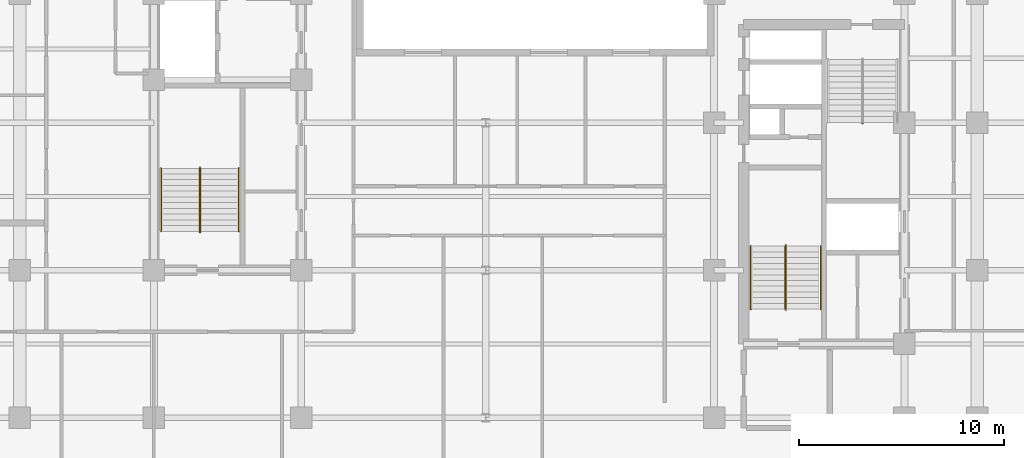
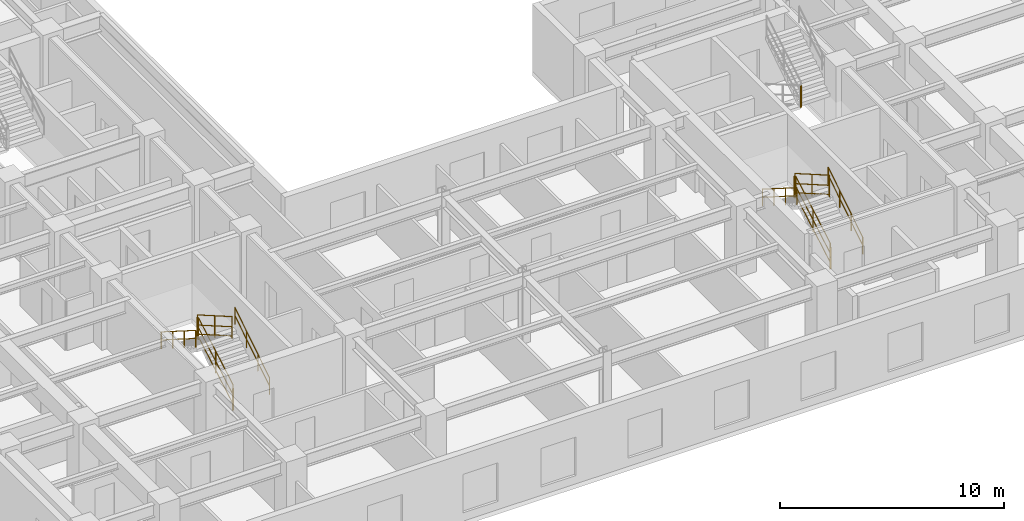
# One storey, part 8 of 10: 13 railings.
"""IFC4 building model written with IfcOpenShell, lengths in metres."""

from ifc_helpers import new_model, entity, si_unit, converted_unit, direction, frame, origin_with_axes, origin_2d_with_axis, place, context, subcontext, project, spatial, rectangle, circle, extrude, material, type_object, element, save


model = new_model("IFC4")

# Units and contexts
model_context = context("Model", 3, precision=1e-05, world=origin_with_axes(), true_north=direction((0.0, 1.0)))
body_context = subcontext(model_context, "Body", "Model", "MODEL_VIEW")
ifc_project = project(units=[si_unit("LENGTHUNIT", "METRE"), si_unit("AREAUNIT", "SQUARE_METRE"), si_unit("VOLUMEUNIT", "CUBIC_METRE"), converted_unit("PLANEANGLEUNIT", "DEGREE", entity("IfcPlaneAngleMeasure", 0.017453292519943295), si_unit("PLANEANGLEUNIT", "RADIAN"), dimensions=[0, 0, 0, 0, 0, 0, 0]), si_unit("MASSUNIT", "GRAM", prefix="KILO"), si_unit("THERMODYNAMICTEMPERATUREUNIT", "KELVIN")], contexts=[model_context])

# Site, building, storey
site_placement = place(None, origin_with_axes())
site = spatial("IfcSite", under=ifc_project, at=site_placement, CompositionType="ELEMENT")
building_placement = place(site_placement, origin_with_axes())
building = spatial("IfcBuilding", under=site, at=building_placement, Name="Varnlund Millrace Tower", CompositionType="ELEMENT")
storey_placement = place(building_placement, frame((0.0, 0.0, 129.0), z_axis=(0.0, 0.0, 1.0), x_axis=(1.0, 0.0, 0.0)))
storey = spatial("IfcBuildingStorey", under=building, at=storey_placement, Name="L31", CompositionType="ELEMENT", Elevation=129.0)

# Railings
ifc_material_1 = material(Name="Painted steel stair well balustrade guard", Category="steel")
railing_type_1 = type_object("IfcRailingType", Name="Type-StairGuard-1150", PredefinedType="GUARDRAIL", material=ifc_material_1)
railing_1_placement = place(storey_placement, frame((0.0, 0.0, -129.0), z_axis=(0.0, 0.0, 1.0), x_axis=(1.0, 0.0, 0.0)))
element("IfcRailing", 1, at=railing_1_placement, inside=storey, type_object=railing_type_1, Name="Type-StairGuard-1150", PredefinedType="GUARDRAIL", context=body_context, shape_type="SweptSolid", body=[
    extrude(circle(Radius=0.024, at=origin_2d_with_axis()), frame((13.675, 12.7, 130.327273), z_axis=(0.0, 0.866696, 0.498836), x_axis=(-1.0, 0.0, 0.0)), (0.0, 0.0, 1.0), 3.553725),
    extrude(circle(Radius=0.024, at=origin_2d_with_axis()), frame((13.675, 12.7, 129.277273), z_axis=(0.0, 0.866696, 0.498836), x_axis=(-1.0, 0.0, 0.0)), (0.0, 0.0, 1.0), 3.553725),
    extrude(circle(Radius=0.024, at=origin_2d_with_axis()), frame((13.675, 12.7, 129.775273), z_axis=(0.0, 0.866696, 0.498836), x_axis=(-1.0, 0.0, 0.0)), (0.0, 0.0, 1.0), 3.553725),
    extrude(rectangle(XDim=0.04, YDim=0.04, at=origin_2d_with_axis()), frame((13.675, 12.7, 129.137273), z_axis=(0.0, 0.0, 1.0), x_axis=(1.0, 0.0, 0.0)), (0.0, 0.0, 1.0), 1.19),
    extrude(rectangle(XDim=0.04, YDim=0.04, at=origin_2d_with_axis()), frame((13.675, 14.24, 130.023637), z_axis=(0.0, 0.0, 1.0), x_axis=(1.0, 0.0, 0.0)), (0.0, 0.0, 1.0), 1.19),
    extrude(rectangle(XDim=0.04, YDim=0.04, at=origin_2d_with_axis()), frame((13.675, 15.78, 130.91), z_axis=(0.0, 0.0, 1.0), x_axis=(1.0, 0.0, 0.0)), (0.0, 0.0, 1.0), 1.19),
])
railing_2_placement = place(storey_placement, frame((0.0, 0.0, -129.0), z_axis=(0.0, 0.0, 1.0), x_axis=(1.0, 0.0, 0.0)))
element("IfcRailing", 2, at=railing_2_placement, inside=storey, type_object=railing_type_1, Name="Type-StairGuard-1150", PredefinedType="GUARDRAIL", context=body_context, shape_type="SweptSolid", body=[
    extrude(circle(Radius=0.024, at=origin_2d_with_axis()), frame((13.625, 15.83, 132.1), z_axis=(1.0, 0.0, 0.0), x_axis=(0.0, 1.0, 0.0)), (0.0, 0.0, 1.0), 0.05),
    extrude(circle(Radius=0.024, at=origin_2d_with_axis()), frame((13.625, 15.83, 131.05), z_axis=(1.0, 0.0, 0.0), x_axis=(0.0, 1.0, 0.0)), (0.0, 0.0, 1.0), 0.05),
    extrude(circle(Radius=0.024, at=origin_2d_with_axis()), frame((13.625, 15.83, 131.548), z_axis=(1.0, 0.0, 0.0), x_axis=(0.0, 1.0, 0.0)), (0.0, 0.0, 1.0), 0.05),
    extrude(rectangle(XDim=0.04, YDim=0.04, at=origin_2d_with_axis()), frame((13.625, 15.83, 130.91), z_axis=(0.0, 0.0, 1.0), x_axis=(1.0, 0.0, 0.0)), (0.0, 0.0, 1.0), 1.19),
    extrude(rectangle(XDim=0.04, YDim=0.04, at=origin_2d_with_axis()), frame((13.675, 15.83, 130.91), z_axis=(0.0, 0.0, 1.0), x_axis=(1.0, 0.0, 0.0)), (0.0, 0.0, 1.0), 1.19),
])
railing_3_placement = place(storey_placement, frame((0.0, 0.0, -129.0), z_axis=(0.0, 0.0, 1.0), x_axis=(1.0, 0.0, 0.0)))
element("IfcRailing", 3, at=railing_3_placement, inside=storey, type_object=railing_type_1, Name="Type-StairGuard-1150", PredefinedType="GUARDRAIL", context=body_context, shape_type="SweptSolid", body=[
    extrude(circle(Radius=0.024, at=origin_2d_with_axis()), frame((13.625, 15.78, 132.277273), z_axis=(0.0, -0.866696, 0.498836), x_axis=(1.0, 0.0, 0.0)), (0.0, 0.0, 1.0), 3.553725),
    extrude(circle(Radius=0.024, at=origin_2d_with_axis()), frame((13.625, 15.78, 131.227273), z_axis=(0.0, -0.866696, 0.498836), x_axis=(1.0, 0.0, 0.0)), (0.0, 0.0, 1.0), 3.553725),
    extrude(circle(Radius=0.024, at=origin_2d_with_axis()), frame((13.625, 15.78, 131.725273), z_axis=(0.0, -0.866696, 0.498836), x_axis=(1.0, 0.0, 0.0)), (0.0, 0.0, 1.0), 3.553725),
    extrude(rectangle(XDim=0.04, YDim=0.04, at=origin_2d_with_axis()), frame((13.625, 15.78, 131.087273), z_axis=(0.0, 0.0, 1.0), x_axis=(1.0, 0.0, 0.0)), (0.0, 0.0, 1.0), 1.19),
    extrude(rectangle(XDim=0.04, YDim=0.04, at=origin_2d_with_axis()), frame((13.625, 14.24, 131.973637), z_axis=(0.0, 0.0, 1.0), x_axis=(1.0, 0.0, 0.0)), (0.0, 0.0, 1.0), 1.19),
    extrude(rectangle(XDim=0.04, YDim=0.04, at=origin_2d_with_axis()), frame((13.625, 12.7, 132.86), z_axis=(0.0, 0.0, 1.0), x_axis=(1.0, 0.0, 0.0)), (0.0, 0.0, 1.0), 1.19),
])
railing_4_placement = place(storey_placement, frame((0.0, 0.0, -129.0), z_axis=(0.0, 0.0, 1.0), x_axis=(1.0, 0.0, 0.0)))
element("IfcRailing", 4, at=railing_4_placement, inside=storey, type_object=railing_type_1, Name="Type-StairGuard-1150", PredefinedType="GUARDRAIL", context=body_context, shape_type="SweptSolid", body=[
    extrude(circle(Radius=0.024, at=origin_2d_with_axis()), frame((13.625, 12.65, 130.15), z_axis=(1.0, 0.0, 0.0), x_axis=(0.0, 1.0, 0.0)), (0.0, 0.0, 1.0), 0.05),
    extrude(circle(Radius=0.024, at=origin_2d_with_axis()), frame((13.625, 12.65, 129.1), z_axis=(1.0, 0.0, 0.0), x_axis=(0.0, 1.0, 0.0)), (0.0, 0.0, 1.0), 0.05),
    extrude(circle(Radius=0.024, at=origin_2d_with_axis()), frame((13.625, 12.65, 129.598), z_axis=(1.0, 0.0, 0.0), x_axis=(0.0, 1.0, 0.0)), (0.0, 0.0, 1.0), 0.05),
    extrude(rectangle(XDim=0.04, YDim=0.04, at=origin_2d_with_axis()), frame((13.625, 12.65, 128.96), z_axis=(0.0, 0.0, 1.0), x_axis=(1.0, 0.0, 0.0)), (0.0, 0.0, 1.0), 1.19),
    extrude(rectangle(XDim=0.04, YDim=0.04, at=origin_2d_with_axis()), frame((13.675, 12.65, 128.96), z_axis=(0.0, 0.0, 1.0), x_axis=(1.0, 0.0, 0.0)), (0.0, 0.0, 1.0), 1.19),
])
railing_5_placement = place(storey_placement, frame((0.0, 0.0, -129.0), z_axis=(0.0, 0.0, 1.0), x_axis=(1.0, 0.0, 0.0)))
element("IfcRailing", 5, at=railing_5_placement, inside=storey, type_object=railing_type_1, Name="Type-StairGuard-1150", PredefinedType="GUARDRAIL", context=body_context, shape_type="SweptSolid", body=[
    extrude(circle(Radius=0.024, at=origin_2d_with_axis()), frame((42.275, 8.9, 130.327273), z_axis=(0.0, 0.866696, 0.498836), x_axis=(-1.0, 0.0, 0.0)), (0.0, 0.0, 1.0), 3.553725),
    extrude(circle(Radius=0.024, at=origin_2d_with_axis()), frame((42.275, 8.9, 129.277273), z_axis=(0.0, 0.866696, 0.498836), x_axis=(-1.0, 0.0, 0.0)), (0.0, 0.0, 1.0), 3.553725),
    extrude(circle(Radius=0.024, at=origin_2d_with_axis()), frame((42.275, 8.9, 129.775273), z_axis=(0.0, 0.866696, 0.498836), x_axis=(-1.0, 0.0, 0.0)), (0.0, 0.0, 1.0), 3.553725),
    extrude(rectangle(XDim=0.04, YDim=0.04, at=origin_2d_with_axis()), frame((42.275, 8.9, 129.137273), z_axis=(0.0, 0.0, 1.0), x_axis=(1.0, 0.0, 0.0)), (0.0, 0.0, 1.0), 1.19),
    extrude(rectangle(XDim=0.04, YDim=0.04, at=origin_2d_with_axis()), frame((42.275, 10.44, 130.023637), z_axis=(0.0, 0.0, 1.0), x_axis=(1.0, 0.0, 0.0)), (0.0, 0.0, 1.0), 1.19),
    extrude(rectangle(XDim=0.04, YDim=0.04, at=origin_2d_with_axis()), frame((42.275, 11.98, 130.91), z_axis=(0.0, 0.0, 1.0), x_axis=(1.0, 0.0, 0.0)), (0.0, 0.0, 1.0), 1.19),
])
railing_6_placement = place(storey_placement, frame((0.0, 0.0, -129.0), z_axis=(0.0, 0.0, 1.0), x_axis=(1.0, 0.0, 0.0)))
element("IfcRailing", 6, at=railing_6_placement, inside=storey, type_object=railing_type_1, Name="Type-StairGuard-1150", PredefinedType="GUARDRAIL", context=body_context, shape_type="SweptSolid", body=[
    extrude(circle(Radius=0.024, at=origin_2d_with_axis()), frame((42.225, 12.03, 132.1), z_axis=(1.0, 0.0, 0.0), x_axis=(0.0, 1.0, 0.0)), (0.0, 0.0, 1.0), 0.05),
    extrude(circle(Radius=0.024, at=origin_2d_with_axis()), frame((42.225, 12.03, 131.05), z_axis=(1.0, 0.0, 0.0), x_axis=(0.0, 1.0, 0.0)), (0.0, 0.0, 1.0), 0.05),
    extrude(circle(Radius=0.024, at=origin_2d_with_axis()), frame((42.225, 12.03, 131.548), z_axis=(1.0, 0.0, 0.0), x_axis=(0.0, 1.0, 0.0)), (0.0, 0.0, 1.0), 0.05),
    extrude(rectangle(XDim=0.04, YDim=0.04, at=origin_2d_with_axis()), frame((42.225, 12.03, 130.91), z_axis=(0.0, 0.0, 1.0), x_axis=(1.0, 0.0, 0.0)), (0.0, 0.0, 1.0), 1.19),
    extrude(rectangle(XDim=0.04, YDim=0.04, at=origin_2d_with_axis()), frame((42.275, 12.03, 130.91), z_axis=(0.0, 0.0, 1.0), x_axis=(1.0, 0.0, 0.0)), (0.0, 0.0, 1.0), 1.19),
])
railing_7_placement = place(storey_placement, frame((0.0, 0.0, -129.0), z_axis=(0.0, 0.0, 1.0), x_axis=(1.0, 0.0, 0.0)))
element("IfcRailing", 7, at=railing_7_placement, inside=storey, type_object=railing_type_1, Name="Type-StairGuard-1150", PredefinedType="GUARDRAIL", context=body_context, shape_type="SweptSolid", body=[
    extrude(circle(Radius=0.024, at=origin_2d_with_axis()), frame((42.225, 11.98, 132.277273), z_axis=(0.0, -0.866696, 0.498836), x_axis=(1.0, 0.0, 0.0)), (0.0, 0.0, 1.0), 3.553725),
    extrude(circle(Radius=0.024, at=origin_2d_with_axis()), frame((42.225, 11.98, 131.227273), z_axis=(0.0, -0.866696, 0.498836), x_axis=(1.0, 0.0, 0.0)), (0.0, 0.0, 1.0), 3.553725),
    extrude(circle(Radius=0.024, at=origin_2d_with_axis()), frame((42.225, 11.98, 131.725273), z_axis=(0.0, -0.866696, 0.498836), x_axis=(1.0, 0.0, 0.0)), (0.0, 0.0, 1.0), 3.553725),
    extrude(rectangle(XDim=0.04, YDim=0.04, at=origin_2d_with_axis()), frame((42.225, 11.98, 131.087273), z_axis=(0.0, 0.0, 1.0), x_axis=(1.0, 0.0, 0.0)), (0.0, 0.0, 1.0), 1.19),
    extrude(rectangle(XDim=0.04, YDim=0.04, at=origin_2d_with_axis()), frame((42.225, 10.44, 131.973637), z_axis=(0.0, 0.0, 1.0), x_axis=(1.0, 0.0, 0.0)), (0.0, 0.0, 1.0), 1.19),
    extrude(rectangle(XDim=0.04, YDim=0.04, at=origin_2d_with_axis()), frame((42.225, 8.9, 132.86), z_axis=(0.0, 0.0, 1.0), x_axis=(1.0, 0.0, 0.0)), (0.0, 0.0, 1.0), 1.19),
])
railing_8_placement = place(storey_placement, frame((0.0, 0.0, -129.0), z_axis=(0.0, 0.0, 1.0), x_axis=(1.0, 0.0, 0.0)))
element("IfcRailing", 8, at=railing_8_placement, inside=storey, type_object=railing_type_1, Name="Type-StairGuard-1150", PredefinedType="GUARDRAIL", context=body_context, shape_type="SweptSolid", body=[
    extrude(circle(Radius=0.024, at=origin_2d_with_axis()), frame((42.225, 8.85, 130.15), z_axis=(1.0, 0.0, 0.0), x_axis=(0.0, 1.0, 0.0)), (0.0, 0.0, 1.0), 0.05),
    extrude(circle(Radius=0.024, at=origin_2d_with_axis()), frame((42.225, 8.85, 129.1), z_axis=(1.0, 0.0, 0.0), x_axis=(0.0, 1.0, 0.0)), (0.0, 0.0, 1.0), 0.05),
    extrude(circle(Radius=0.024, at=origin_2d_with_axis()), frame((42.225, 8.85, 129.598), z_axis=(1.0, 0.0, 0.0), x_axis=(0.0, 1.0, 0.0)), (0.0, 0.0, 1.0), 0.05),
    extrude(rectangle(XDim=0.04, YDim=0.04, at=origin_2d_with_axis()), frame((42.225, 8.85, 128.96), z_axis=(0.0, 0.0, 1.0), x_axis=(1.0, 0.0, 0.0)), (0.0, 0.0, 1.0), 1.19),
    extrude(rectangle(XDim=0.04, YDim=0.04, at=origin_2d_with_axis()), frame((42.275, 8.85, 128.96), z_axis=(0.0, 0.0, 1.0), x_axis=(1.0, 0.0, 0.0)), (0.0, 0.0, 1.0), 1.19),
])
railing_9_placement = place(storey_placement, frame((0.0, 0.0, -129.0), z_axis=(0.0, 0.0, 1.0), x_axis=(1.0, 0.0, 0.0)))
element("IfcRailing", 9, at=railing_9_placement, inside=storey, type_object=railing_type_1, Name="Type-StairGuard-1150", PredefinedType="GUARDRAIL", context=body_context, shape_type="SweptSolid", body=[
    extrude(circle(Radius=0.024, at=origin_2d_with_axis()), frame((46.025, 17.97, 132.1), z_axis=(-1.0, 0.0, 0.0), x_axis=(0.0, -1.0, 0.0)), (0.0, 0.0, 1.0), 0.05),
    extrude(circle(Radius=0.024, at=origin_2d_with_axis()), frame((46.025, 17.97, 131.05), z_axis=(-1.0, 0.0, 0.0), x_axis=(0.0, -1.0, 0.0)), (0.0, 0.0, 1.0), 0.05),
    extrude(circle(Radius=0.024, at=origin_2d_with_axis()), frame((46.025, 17.97, 131.548), z_axis=(-1.0, 0.0, 0.0), x_axis=(0.0, -1.0, 0.0)), (0.0, 0.0, 1.0), 0.05),
    extrude(rectangle(XDim=0.04, YDim=0.04, at=origin_2d_with_axis()), frame((46.025, 17.97, 130.91), z_axis=(0.0, 0.0, 1.0), x_axis=(1.0, 0.0, 0.0)), (0.0, 0.0, 1.0), 1.19),
    extrude(rectangle(XDim=0.04, YDim=0.04, at=origin_2d_with_axis()), frame((45.975, 17.97, 130.91), z_axis=(0.0, 0.0, 1.0), x_axis=(1.0, 0.0, 0.0)), (0.0, 0.0, 1.0), 1.19),
])
ifc_material_2 = material(Name="Brushed architectural bronze stair handrail", Category="aluminium")
railing_type_2 = type_object("IfcRailingType", Name="Type-StairHandrail-900", PredefinedType="HANDRAIL", material=ifc_material_2)
railing_10_placement = place(storey_placement, frame((0.0, 0.0, -129.0), z_axis=(0.0, 0.0, 1.0), x_axis=(1.0, 0.0, 0.0)))
element("IfcRailing", 10, at=railing_10_placement, inside=storey, type_object=railing_type_2, Name="Type-StairHandrail-900", PredefinedType="HANDRAIL", context=body_context, shape_type="SweptSolid", body=[
    extrude(circle(Radius=0.024, at=origin_2d_with_axis()), frame((15.55, 12.7, 130.056995), z_axis=(0.0, 0.844902, 0.534922), x_axis=(-1.0, 0.0, 0.0)), (0.0, 0.0, 1.0), 3.645394),
    extrude(circle(Radius=0.024, at=origin_2d_with_axis()), frame((15.55, 12.7, 129.617134), z_axis=(0.0, 0.844902, 0.534922), x_axis=(-1.0, 0.0, 0.0)), (0.0, 0.0, 1.0), 3.645394),
    extrude(rectangle(XDim=0.04, YDim=0.04, at=origin_2d_with_axis()), frame((15.55, 12.7, 129.137273), z_axis=(0.0, 0.0, 1.0), x_axis=(1.0, 0.0, 0.0)), (0.0, 0.0, 1.0), 0.919722),
    extrude(rectangle(XDim=0.04, YDim=0.04, at=origin_2d_with_axis()), frame((15.55, 13.726667, 129.787273), z_axis=(0.0, 0.0, 1.0), x_axis=(1.0, 0.0, 0.0)), (0.0, 0.0, 1.0), 0.919722),
    extrude(rectangle(XDim=0.04, YDim=0.04, at=origin_2d_with_axis()), frame((15.55, 14.753333, 130.437273), z_axis=(0.0, 0.0, 1.0), x_axis=(1.0, 0.0, 0.0)), (0.0, 0.0, 1.0), 0.919722),
    extrude(rectangle(XDim=0.04, YDim=0.04, at=origin_2d_with_axis()), frame((15.55, 15.78, 131.087273), z_axis=(0.0, 0.0, 1.0), x_axis=(1.0, 0.0, 0.0)), (0.0, 0.0, 1.0), 0.919722),
])
railing_11_placement = place(storey_placement, frame((0.0, 0.0, -129.0), z_axis=(0.0, 0.0, 1.0), x_axis=(1.0, 0.0, 0.0)))
element("IfcRailing", 11, at=railing_11_placement, inside=storey, type_object=railing_type_2, Name="Type-StairHandrail-900", PredefinedType="HANDRAIL", context=body_context, shape_type="SweptSolid", body=[
    extrude(circle(Radius=0.024, at=origin_2d_with_axis()), frame((11.75, 15.78, 132.006995), z_axis=(0.0, -0.844902, 0.534922), x_axis=(1.0, 0.0, 0.0)), (0.0, 0.0, 1.0), 3.645394),
    extrude(circle(Radius=0.024, at=origin_2d_with_axis()), frame((11.75, 15.78, 131.567134), z_axis=(0.0, -0.844902, 0.534922), x_axis=(1.0, 0.0, 0.0)), (0.0, 0.0, 1.0), 3.645394),
    extrude(rectangle(XDim=0.04, YDim=0.04, at=origin_2d_with_axis()), frame((11.75, 15.78, 131.087273), z_axis=(0.0, 0.0, 1.0), x_axis=(1.0, 0.0, 0.0)), (0.0, 0.0, 1.0), 0.919722),
    extrude(rectangle(XDim=0.04, YDim=0.04, at=origin_2d_with_axis()), frame((11.75, 14.753333, 131.737273), z_axis=(0.0, 0.0, 1.0), x_axis=(1.0, 0.0, 0.0)), (0.0, 0.0, 1.0), 0.919722),
    extrude(rectangle(XDim=0.04, YDim=0.04, at=origin_2d_with_axis()), frame((11.75, 13.726667, 132.387273), z_axis=(0.0, 0.0, 1.0), x_axis=(1.0, 0.0, 0.0)), (0.0, 0.0, 1.0), 0.919722),
    extrude(rectangle(XDim=0.04, YDim=0.04, at=origin_2d_with_axis()), frame((11.75, 12.7, 133.037273), z_axis=(0.0, 0.0, 1.0), x_axis=(1.0, 0.0, 0.0)), (0.0, 0.0, 1.0), 0.919722),
])
railing_12_placement = place(storey_placement, frame((0.0, 0.0, -129.0), z_axis=(0.0, 0.0, 1.0), x_axis=(1.0, 0.0, 0.0)))
element("IfcRailing", 12, at=railing_12_placement, inside=storey, type_object=railing_type_2, Name="Type-StairHandrail-900", PredefinedType="HANDRAIL", context=body_context, shape_type="SweptSolid", body=[
    extrude(circle(Radius=0.024, at=origin_2d_with_axis()), frame((43.95, 8.9, 130.056995), z_axis=(0.0, 0.844902, 0.534922), x_axis=(-1.0, 0.0, 0.0)), (0.0, 0.0, 1.0), 3.645394),
    extrude(circle(Radius=0.024, at=origin_2d_with_axis()), frame((43.95, 8.9, 129.617134), z_axis=(0.0, 0.844902, 0.534922), x_axis=(-1.0, 0.0, 0.0)), (0.0, 0.0, 1.0), 3.645394),
    extrude(rectangle(XDim=0.04, YDim=0.04, at=origin_2d_with_axis()), frame((43.95, 8.9, 129.137273), z_axis=(0.0, 0.0, 1.0), x_axis=(1.0, 0.0, 0.0)), (0.0, 0.0, 1.0), 0.919722),
    extrude(rectangle(XDim=0.04, YDim=0.04, at=origin_2d_with_axis()), frame((43.95, 9.926667, 129.787273), z_axis=(0.0, 0.0, 1.0), x_axis=(1.0, 0.0, 0.0)), (0.0, 0.0, 1.0), 0.919722),
    extrude(rectangle(XDim=0.04, YDim=0.04, at=origin_2d_with_axis()), frame((43.95, 10.953333, 130.437273), z_axis=(0.0, 0.0, 1.0), x_axis=(1.0, 0.0, 0.0)), (0.0, 0.0, 1.0), 0.919722),
    extrude(rectangle(XDim=0.04, YDim=0.04, at=origin_2d_with_axis()), frame((43.95, 11.98, 131.087273), z_axis=(0.0, 0.0, 1.0), x_axis=(1.0, 0.0, 0.0)), (0.0, 0.0, 1.0), 0.919722),
])
railing_13_placement = place(storey_placement, frame((0.0, 0.0, -129.0), z_axis=(0.0, 0.0, 1.0), x_axis=(1.0, 0.0, 0.0)))
element("IfcRailing", 13, at=railing_13_placement, inside=storey, type_object=railing_type_2, Name="Type-StairHandrail-900", PredefinedType="HANDRAIL", context=body_context, shape_type="SweptSolid", body=[
    extrude(circle(Radius=0.024, at=origin_2d_with_axis()), frame((40.55, 11.98, 132.006995), z_axis=(0.0, -0.844902, 0.534922), x_axis=(1.0, 0.0, 0.0)), (0.0, 0.0, 1.0), 3.645394),
    extrude(circle(Radius=0.024, at=origin_2d_with_axis()), frame((40.55, 11.98, 131.567134), z_axis=(0.0, -0.844902, 0.534922), x_axis=(1.0, 0.0, 0.0)), (0.0, 0.0, 1.0), 3.645394),
    extrude(rectangle(XDim=0.04, YDim=0.04, at=origin_2d_with_axis()), frame((40.55, 11.98, 131.087273), z_axis=(0.0, 0.0, 1.0), x_axis=(1.0, 0.0, 0.0)), (0.0, 0.0, 1.0), 0.919722),
    extrude(rectangle(XDim=0.04, YDim=0.04, at=origin_2d_with_axis()), frame((40.55, 10.953333, 131.737273), z_axis=(0.0, 0.0, 1.0), x_axis=(1.0, 0.0, 0.0)), (0.0, 0.0, 1.0), 0.919722),
    extrude(rectangle(XDim=0.04, YDim=0.04, at=origin_2d_with_axis()), frame((40.55, 9.926667, 132.387273), z_axis=(0.0, 0.0, 1.0), x_axis=(1.0, 0.0, 0.0)), (0.0, 0.0, 1.0), 0.919722),
    extrude(rectangle(XDim=0.04, YDim=0.04, at=origin_2d_with_axis()), frame((40.55, 8.9, 133.037273), z_axis=(0.0, 0.0, 1.0), x_axis=(1.0, 0.0, 0.0)), (0.0, 0.0, 1.0), 0.919722),
])

save(model, "model.ifc")
